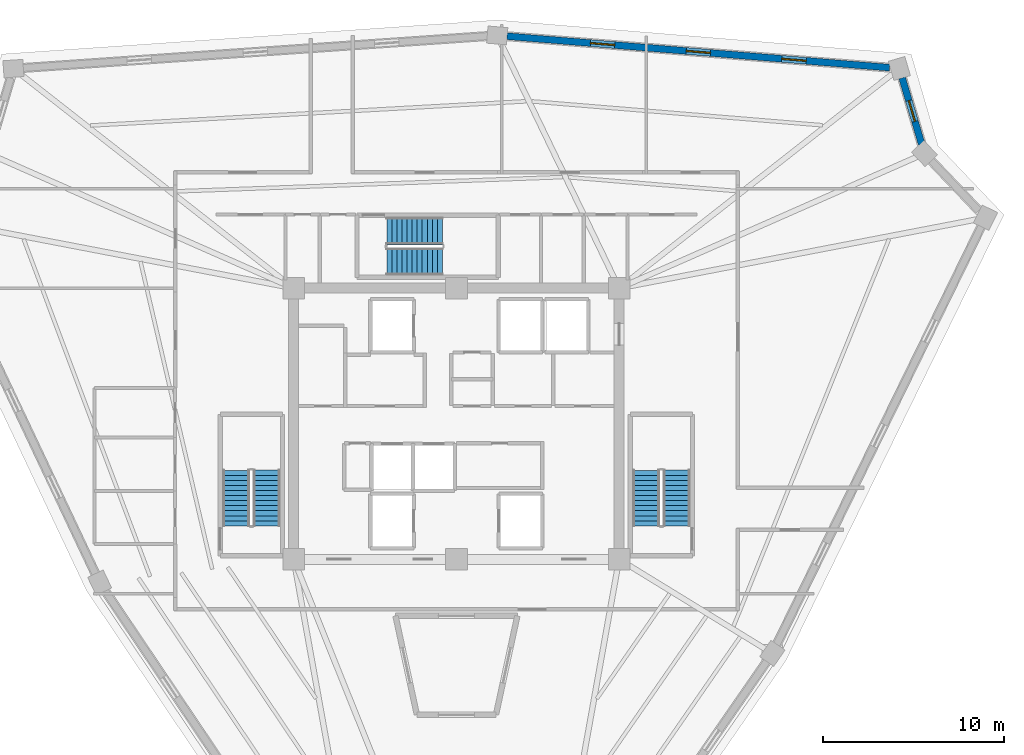
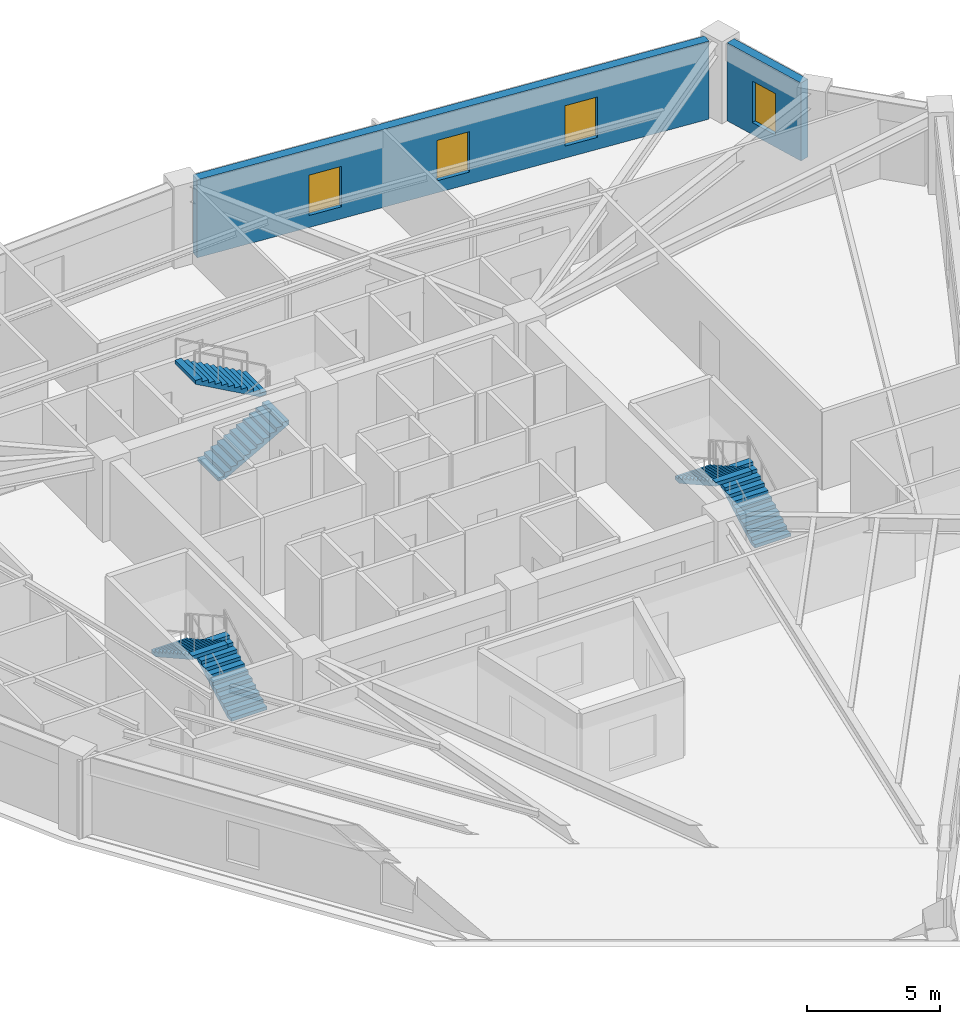
# One storey, part 7 of 9: 6 stair flights, 4 windows, 2 walls, 4 openings, 3 elements without a shape of their own.
"""IFC4 building model written with IfcOpenShell, lengths in metres."""

from ifc_helpers import new_model, si_unit, direction, frame, frame_2d, origin, place, context, subcontext, project, spatial, polyline, rectangle, outline, extrude, source, transform, mapped, material, layer, layer_set, type_object, element, fill, aggregate, save


model = new_model("IFC4")

# Units and contexts
model_context = context("Model", 3, precision=1e-05, world=origin(), true_north=direction((0.0, 1.0)))
body_context = subcontext(model_context, "Body", "Model", "MODEL_VIEW")
ifc_project = project(units=[si_unit("LENGTHUNIT", "METRE"), si_unit("AREAUNIT", "SQUARE_METRE"), si_unit("VOLUMEUNIT", "CUBIC_METRE"), si_unit("PLANEANGLEUNIT", "RADIAN"), si_unit("MASSUNIT", "GRAM", prefix="KILO")], contexts=[model_context])

# Site, building, storey
site_placement = place(None, origin())
site = spatial("IfcSite", under=ifc_project, at=site_placement, CompositionType="ELEMENT")
building_placement = place(site_placement, origin())
building = spatial("IfcBuilding", under=site, at=building_placement, Name="Liaohun Quay Tower", CompositionType="ELEMENT")
storey_placement = place(building_placement, frame((0.0, 0.0, 328.5)))
storey = spatial("IfcBuildingStorey", under=building, at=storey_placement, Name="L85", CompositionType="ELEMENT", Elevation=328.5)

# Wall, opening, window
ifc_material_1 = material(Name="Precast concrete C50 insulated sandwich", Category="concrete")
ifc_layer = layer(ifc_material_1, 0.3798828125, Name="Precast concrete C50 insulated sandwich", Category="concrete")
ifc_layer_set = layer_set([ifc_layer], Name="Precast concrete C50 insulated sandwich")
wall_type = type_object("IfcWallType", Name="WAL-EXT-Z34", PredefinedType="SOLIDWALL", material=ifc_layer_set)
wall_1_placement = place(storey_placement, frame((85.738037109375, 69.466064453125, 0.0), z_axis=(0.0, 0.0, 1.0), x_axis=(-0.282732695887, 0.959198739926, 0.0)))
wall_1 = element("IfcWall", 1, at=wall_1_placement, inside=storey, type_object=wall_type, Name="L85 Brutalist Precast Pier Wall 05", PredefinedType="SOLIDWALL", context=body_context, shape_type="SweptSolid", body=[
    extrude(rectangle(XDim=3.8271484375, YDim=0.3798828125, at=frame_2d((1.91357421875, 0.0))), origin(), (0.0, 0.0, 1.0), 3.570068359375),
])
shared_shape_1 = source(origin(), body_context, "Body", "SweptSolid", [
    extrude(rectangle(XDim=1.199951171875, YDim=1.89990234375, at=frame_2d((0.60009765625, 0.949951171875))), frame((0.0, 0.199951171875, 0.0), z_axis=(0.0, -1.0, 0.0), x_axis=(1.0, 0.0, 0.0)), (0.0, 0.0, 1.0), 0.39990234375),
])
opening_1_placement = place(wall_1_placement, frame((1.31396484375, 0.0, 0.550048828125)))
opening_1 = element("IfcOpeningElement", 2, at=opening_1_placement, cuts=wall_1, Name="Opening W05", PredefinedType="OPENING", context=body_context, shape_type="MappedRepresentation", body=[
    mapped(shared_shape_1, transform((0.0, 0.0, 0.0), x_axis=(1.0, 0.0, 0.0), y_axis=(0.0, 1.0, 0.0), z_axis=(0.0, 0.0, 1.0), scale=1.0)),
])
ifc_material_2 = material(Name="Triple Low-E corner notch glazing", Category="glass")
window_type_1 = type_object("IfcWindowType", Name="WIN-NOTCH", PartitioningType="SINGLE_PANEL", PredefinedType="WINDOW", material=ifc_material_2)
shared_shape_2 = source(origin(), body_context, "Body", "SweptSolid", [
    extrude(rectangle(XDim=1.199951171875, YDim=1.89990234375, at=frame_2d((0.60009765625, 0.949951171875))), frame((0.0, 0.030029296875, 0.0), z_axis=(0.0, -1.0, 0.0), x_axis=(1.0, 0.0, 0.0)), (0.0, 0.0, 1.0), 0.06005859375),
])
window_1_placement = place(opening_1_placement, origin())
window_1 = element("IfcWindow", 3, at=window_1_placement, inside=storey, type_object=window_type_1, Name="L85 Corner Notch Window W05-05", OverallHeight=1.89990234375, OverallWidth=1.199951171875, PartitioningType="SINGLE_PANEL", PredefinedType="WINDOW", context=body_context, shape_type="MappedRepresentation", body=[
    mapped(shared_shape_2, transform((0.0, 0.0, 0.0), x_axis=(1.0, 0.0, 0.0), y_axis=(0.0, 1.0, 0.0), z_axis=(0.0, 0.0, 1.0), scale=1.0)),
])
fill(opening_1, window_1)

# Wall, openings, windows
wall_2_placement = place(storey_placement, frame((83.965087890625, 73.698974609375, 0.0), z_axis=(0.0, 0.0, 1.0), x_axis=(-0.996631543612, 0.082009549916, 0.0)))
wall_2 = element("IfcWall", 4, at=wall_2_placement, inside=storey, type_object=wall_type, Name="L85 Brutalist Precast Pier Wall 06", PredefinedType="SOLIDWALL", context=body_context, shape_type="SweptSolid", body=[
    extrude(rectangle(XDim=21.24072265625, YDim=0.3798828125, at=frame_2d((10.620361328125, 0.0))), origin(), (0.0, 0.0, 1.0), 3.570068359375),
])
shared_shape_3 = source(origin(), body_context, "Body", "SweptSolid", [
    extrude(rectangle(XDim=1.35009765625, YDim=1.85009765625, at=frame_2d((0.675048828125, 0.925048828125))), frame((0.0, 0.199951171875, 0.0), z_axis=(0.0, -1.0, 0.0), x_axis=(1.0, 0.0, 0.0)), (0.0, 0.0, 1.0), 0.39990234375),
])
opening_2_placement = place(wall_2_placement, frame((4.635009765625, 0.0, 0.550048828125)))
opening_2 = element("IfcOpeningElement", 5, at=opening_2_placement, cuts=wall_2, Name="Opening W04", PredefinedType="OPENING", context=body_context, shape_type="MappedRepresentation", body=[
    mapped(shared_shape_3, transform((0.0, 0.0, 0.0), x_axis=(1.0, 0.0, 0.0), y_axis=(0.0, 1.0, 0.0), z_axis=(0.0, 0.0, 1.0), scale=1.0)),
])
opening_3_placement = place(wall_2_placement, frame((9.945068359375, 0.0, 0.550048828125)))
opening_3 = element("IfcOpeningElement", 6, at=opening_3_placement, cuts=wall_2, Name="Opening W04", PredefinedType="OPENING", context=body_context, shape_type="MappedRepresentation", body=[
    mapped(shared_shape_3, transform((0.0, 0.0, 0.0), x_axis=(1.0, 0.0, 0.0), y_axis=(0.0, 1.0, 0.0), z_axis=(0.0, 0.0, 1.0), scale=1.0)),
])
opening_4_placement = place(wall_2_placement, frame((15.2548828125, 0.0, 0.550048828125)))
opening_4 = element("IfcOpeningElement", 7, at=opening_4_placement, cuts=wall_2, Name="Opening W04", PredefinedType="OPENING", context=body_context, shape_type="MappedRepresentation", body=[
    mapped(shared_shape_3, transform((0.0, 0.0, 0.0), x_axis=(1.0, 0.0, 0.0), y_axis=(0.0, 1.0, 0.0), z_axis=(0.0, 0.0, 1.0), scale=1.0)),
])
ifc_material_3 = material(Name="Triple Low-E argon glazing in thermally broken aluminium", Category="aluminium")
window_type_2 = type_object("IfcWindowType", Name="WIN-PUN-Z4", PartitioningType="SINGLE_PANEL", PredefinedType="WINDOW", material=ifc_material_3)
shared_shape_4 = source(origin(), body_context, "Body", "SweptSolid", [
    extrude(rectangle(XDim=1.35009765625, YDim=1.85009765625, at=frame_2d((0.675048828125, 0.925048828125))), frame((0.0, 0.030029296875, 0.0), z_axis=(0.0, -1.0, 0.0), x_axis=(1.0, 0.0, 0.0)), (0.0, 0.0, 1.0), 0.06005859375),
])
window_2_placement = place(opening_2_placement, origin())
window_2 = element("IfcWindow", 8, at=window_2_placement, inside=storey, type_object=window_type_2, Name="L85 Recessed Cold-Climate Punched Window 06-1", OverallHeight=1.85009765625, OverallWidth=1.35009765625, PartitioningType="SINGLE_PANEL", PredefinedType="WINDOW", context=body_context, shape_type="MappedRepresentation", body=[
    mapped(shared_shape_4, transform((0.0, 0.0, 0.0), x_axis=(1.0, 0.0, 0.0), y_axis=(0.0, 1.0, 0.0), z_axis=(0.0, 0.0, 1.0), scale=1.0)),
])
fill(opening_2, window_2)
window_3_placement = place(opening_3_placement, origin())
window_3 = element("IfcWindow", 9, at=window_3_placement, inside=storey, type_object=window_type_2, Name="L85 Recessed Cold-Climate Punched Window 06-2", OverallHeight=1.85009765625, OverallWidth=1.35009765625, PartitioningType="SINGLE_PANEL", PredefinedType="WINDOW", context=body_context, shape_type="MappedRepresentation", body=[
    mapped(shared_shape_4, transform((0.0, 0.0, 0.0), x_axis=(1.0, 0.0, 0.0), y_axis=(0.0, 1.0, 0.0), z_axis=(0.0, 0.0, 1.0), scale=1.0)),
])
fill(opening_3, window_3)
window_4_placement = place(opening_4_placement, origin())
window_4 = element("IfcWindow", 10, at=window_4_placement, inside=storey, type_object=window_type_2, Name="L85 Recessed Cold-Climate Punched Window 06-3", OverallHeight=1.85009765625, OverallWidth=1.35009765625, PartitioningType="SINGLE_PANEL", PredefinedType="WINDOW", context=body_context, shape_type="MappedRepresentation", body=[
    mapped(shared_shape_4, transform((0.0, 0.0, 0.0), x_axis=(1.0, 0.0, 0.0), y_axis=(0.0, 1.0, 0.0), z_axis=(0.0, 0.0, 1.0), scale=1.0)),
])
fill(opening_4, window_4)

# Stair, stair flights
ifc_material_4 = material(Name="Concrete C45", Category="concrete")
stair_type = type_object("IfcStairType", Name="STR-CORE-OFF", PredefinedType="HALF_TURN_STAIR", material=ifc_material_4)
stair_1_placement = place(storey_placement, origin())
stair_1 = element("IfcStair", 11, at=stair_1_placement, inside=storey, type_object=stair_type, Name="L85 Smokeproof Core Exit Stair ST-1", PredefinedType="HALF_TURN_STAIR")
stair_flight_type = type_object("IfcStairFlightType", Name="FLT-CORE-155", PredefinedType="STRAIGHT", material=ifc_material_4)
stair_flight_1_placement = place(storey_placement, frame((49.5048828125, 48.35009765625, 0.0), z_axis=(0.0, 0.0, 1.0), x_axis=(0.0, 1.0, 0.0)))
stair_flight_1 = element("IfcStairFlight", 12, at=stair_flight_1_placement, type_object=stair_flight_type, Name="ST-1 flight 1", NumberOfRisers=12, NumberOfTreads=11, PredefinedType="STRAIGHT", RiserHeight=0.15625, TreadLength=0.28, context=body_context, shape_type="SweptSolid", body=[
    extrude(outline(polyline([(0.0, 0.0), (0.0, 0.15625), (0.280029296875, 0.15625), (0.280029296875, 0.3125), (0.56005859375, 0.3125), (0.56005859375, 0.46875), (0.840087890625, 0.46875), (0.840087890625, 0.625), (1.1201171875, 0.625), (1.1201171875, 0.78125), (1.39990234375, 0.78125), (1.39990234375, 0.9375), (1.679931640625, 0.9375), (1.679931640625, 1.09375), (1.9599609375, 1.09375), (1.9599609375, 1.25), (2.239990234375, 1.25), (2.239990234375, 1.40625), (2.52001953125, 1.40625), (2.52001953125, 1.5625), (2.800048828125, 1.5625), (2.800048828125, 1.71875), (3.080078125, 1.71875), (3.080078125, 1.875), (3.080078125, 1.547119140625), (0.3076171875, 0.0), (0.0, 0.0)])), frame((0.0, 0.77490234375, 0.0), z_axis=(0.0, -1.0, 0.0), x_axis=(1.0, 0.0, 0.0)), (0.0, 0.0, 1.0), 1.550048828125),
])
stair_flight_2_placement = place(storey_placement, frame((47.81494140625, 51.429931640625, 1.875), z_axis=(0.0, 0.0, 1.0), x_axis=(0.0, -1.0, 0.0)))
stair_flight_2 = element("IfcStairFlight", 13, at=stair_flight_2_placement, type_object=stair_flight_type, Name="ST-1 flight 2", NumberOfRisers=12, NumberOfTreads=11, PredefinedType="STRAIGHT", RiserHeight=0.15625, TreadLength=0.28, context=body_context, shape_type="SweptSolid", body=[
    extrude(outline(polyline([(0.0, 0.0), (0.0, 0.15625), (0.280029296875, 0.15625), (0.280029296875, 0.3125), (0.56005859375, 0.3125), (0.56005859375, 0.46875), (0.840087890625, 0.46875), (0.840087890625, 0.625), (1.1201171875, 0.625), (1.1201171875, 0.78125), (1.39990234375, 0.78125), (1.39990234375, 0.9375), (1.679931640625, 0.9375), (1.679931640625, 1.09375), (1.9599609375, 1.09375), (1.9599609375, 1.25), (2.239990234375, 1.25), (2.239990234375, 1.40625), (2.52001953125, 1.40625), (2.52001953125, 1.5625), (2.800048828125, 1.5625), (2.800048828125, 1.71875), (3.080078125, 1.71875), (3.080078125, 1.875), (3.080078125, 1.547119140625), (0.3076171875, 0.0), (0.0, 0.0)])), frame((0.0, 0.77490234375, 0.0), z_axis=(0.0, -1.0, 0.0), x_axis=(1.0, 0.0, 0.0)), (0.0, 0.0, 1.0), 1.550048828125),
])
aggregate(stair_1, [stair_flight_1, stair_flight_2])

stair_2_placement = place(storey_placement, origin())
stair_2 = element("IfcStair", 14, at=stair_2_placement, inside=storey, type_object=stair_type, Name="L85 Smokeproof Core Exit Stair ST-2", PredefinedType="HALF_TURN_STAIR")
stair_flight_3_placement = place(storey_placement, frame((72.18505859375, 48.35009765625, 0.0), z_axis=(0.0, 0.0, 1.0), x_axis=(0.0, 1.0, 0.0)))
stair_flight_3 = element("IfcStairFlight", 15, at=stair_flight_3_placement, type_object=stair_flight_type, Name="ST-2 flight 1", NumberOfRisers=12, NumberOfTreads=11, PredefinedType="STRAIGHT", RiserHeight=0.15625, TreadLength=0.28, context=body_context, shape_type="SweptSolid", body=[
    extrude(outline(polyline([(0.0, 0.0), (0.0, 0.15625), (0.280029296875, 0.15625), (0.280029296875, 0.3125), (0.56005859375, 0.3125), (0.56005859375, 0.46875), (0.840087890625, 0.46875), (0.840087890625, 0.625), (1.1201171875, 0.625), (1.1201171875, 0.78125), (1.39990234375, 0.78125), (1.39990234375, 0.9375), (1.679931640625, 0.9375), (1.679931640625, 1.09375), (1.9599609375, 1.09375), (1.9599609375, 1.25), (2.239990234375, 1.25), (2.239990234375, 1.40625), (2.52001953125, 1.40625), (2.52001953125, 1.5625), (2.800048828125, 1.5625), (2.800048828125, 1.71875), (3.080078125, 1.71875), (3.080078125, 1.875), (3.080078125, 1.547119140625), (0.3076171875, 0.0), (0.0, 0.0)])), frame((0.0, 0.77490234375, 0.0), z_axis=(0.0, -1.0, 0.0), x_axis=(1.0, 0.0, 0.0)), (0.0, 0.0, 1.0), 1.550048828125),
])
stair_flight_4_placement = place(storey_placement, frame((70.4951171875, 51.429931640625, 1.875), z_axis=(0.0, 0.0, 1.0), x_axis=(0.0, -1.0, 0.0)))
stair_flight_4 = element("IfcStairFlight", 16, at=stair_flight_4_placement, type_object=stair_flight_type, Name="ST-2 flight 2", NumberOfRisers=12, NumberOfTreads=11, PredefinedType="STRAIGHT", RiserHeight=0.15625, TreadLength=0.28, context=body_context, shape_type="SweptSolid", body=[
    extrude(outline(polyline([(0.0, 0.0), (0.0, 0.15625), (0.280029296875, 0.15625), (0.280029296875, 0.3125), (0.56005859375, 0.3125), (0.56005859375, 0.46875), (0.840087890625, 0.46875), (0.840087890625, 0.625), (1.1201171875, 0.625), (1.1201171875, 0.78125), (1.39990234375, 0.78125), (1.39990234375, 0.9375), (1.679931640625, 0.9375), (1.679931640625, 1.09375), (1.9599609375, 1.09375), (1.9599609375, 1.25), (2.239990234375, 1.25), (2.239990234375, 1.40625), (2.52001953125, 1.40625), (2.52001953125, 1.5625), (2.800048828125, 1.5625), (2.800048828125, 1.71875), (3.080078125, 1.71875), (3.080078125, 1.875), (3.080078125, 1.547119140625), (0.3076171875, 0.0), (0.0, 0.0)])), frame((0.0, 0.77490234375, 0.0), z_axis=(0.0, -1.0, 0.0), x_axis=(1.0, 0.0, 0.0)), (0.0, 0.0, 1.0), 1.550048828125),
])
aggregate(stair_2, [stair_flight_3, stair_flight_4])

stair_3_placement = place(storey_placement, origin())
stair_3 = element("IfcStair", 17, at=stair_3_placement, inside=storey, type_object=stair_type, Name="L85 Smokeproof Core Exit Stair ST-3", PredefinedType="HALF_TURN_STAIR")
stair_flight_5_placement = place(storey_placement, frame((56.14990234375, 62.97509765625, 0.0), z_axis=(0.0, 0.0, 1.0), x_axis=(1.0, 0.0, 0.0)))
stair_flight_5 = element("IfcStairFlight", 18, at=stair_flight_5_placement, type_object=stair_flight_type, Name="ST-3 flight 1", NumberOfRisers=12, NumberOfTreads=11, PredefinedType="STRAIGHT", RiserHeight=0.15625, TreadLength=0.28, context=body_context, shape_type="SweptSolid", body=[
    extrude(outline(polyline([(0.0, 0.0), (0.0, 0.15625), (0.280029296875, 0.15625), (0.280029296875, 0.3125), (0.56005859375, 0.3125), (0.56005859375, 0.46875), (0.840087890625, 0.46875), (0.840087890625, 0.625), (1.1201171875, 0.625), (1.1201171875, 0.78125), (1.39990234375, 0.78125), (1.39990234375, 0.9375), (1.679931640625, 0.9375), (1.679931640625, 1.09375), (1.9599609375, 1.09375), (1.9599609375, 1.25), (2.239990234375, 1.25), (2.239990234375, 1.40625), (2.52001953125, 1.40625), (2.52001953125, 1.5625), (2.800048828125, 1.5625), (2.800048828125, 1.71875), (3.080078125, 1.71875), (3.080078125, 1.875), (3.080078125, 1.547119140625), (0.3076171875, 0.0), (0.0, 0.0)])), frame((0.0, 0.77490234375, 0.0), z_axis=(0.0, -1.0, 0.0), x_axis=(1.0, 0.0, 0.0)), (0.0, 0.0, 1.0), 1.550048828125),
])
stair_flight_6_placement = place(storey_placement, frame((59.22998046875, 64.6650390625, 1.875), z_axis=(0.0, 0.0, 1.0), x_axis=(-1.0, 0.0, 0.0)))
stair_flight_6 = element("IfcStairFlight", 19, at=stair_flight_6_placement, type_object=stair_flight_type, Name="ST-3 flight 2", NumberOfRisers=12, NumberOfTreads=11, PredefinedType="STRAIGHT", RiserHeight=0.15625, TreadLength=0.28, context=body_context, shape_type="SweptSolid", body=[
    extrude(outline(polyline([(0.0, 0.0), (0.0, 0.15625), (0.280029296875, 0.15625), (0.280029296875, 0.3125), (0.56005859375, 0.3125), (0.56005859375, 0.46875), (0.840087890625, 0.46875), (0.840087890625, 0.625), (1.1201171875, 0.625), (1.1201171875, 0.78125), (1.39990234375, 0.78125), (1.39990234375, 0.9375), (1.679931640625, 0.9375), (1.679931640625, 1.09375), (1.9599609375, 1.09375), (1.9599609375, 1.25), (2.239990234375, 1.25), (2.239990234375, 1.40625), (2.52001953125, 1.40625), (2.52001953125, 1.5625), (2.800048828125, 1.5625), (2.800048828125, 1.71875), (3.080078125, 1.71875), (3.080078125, 1.875), (3.080078125, 1.547119140625), (0.3076171875, 0.0), (0.0, 0.0)])), frame((0.0, 0.77490234375, 0.0), z_axis=(0.0, -1.0, 0.0), x_axis=(1.0, 0.0, 0.0)), (0.0, 0.0, 1.0), 1.550048828125),
])
aggregate(stair_3, [stair_flight_5, stair_flight_6])

save(model, "model.ifc")
